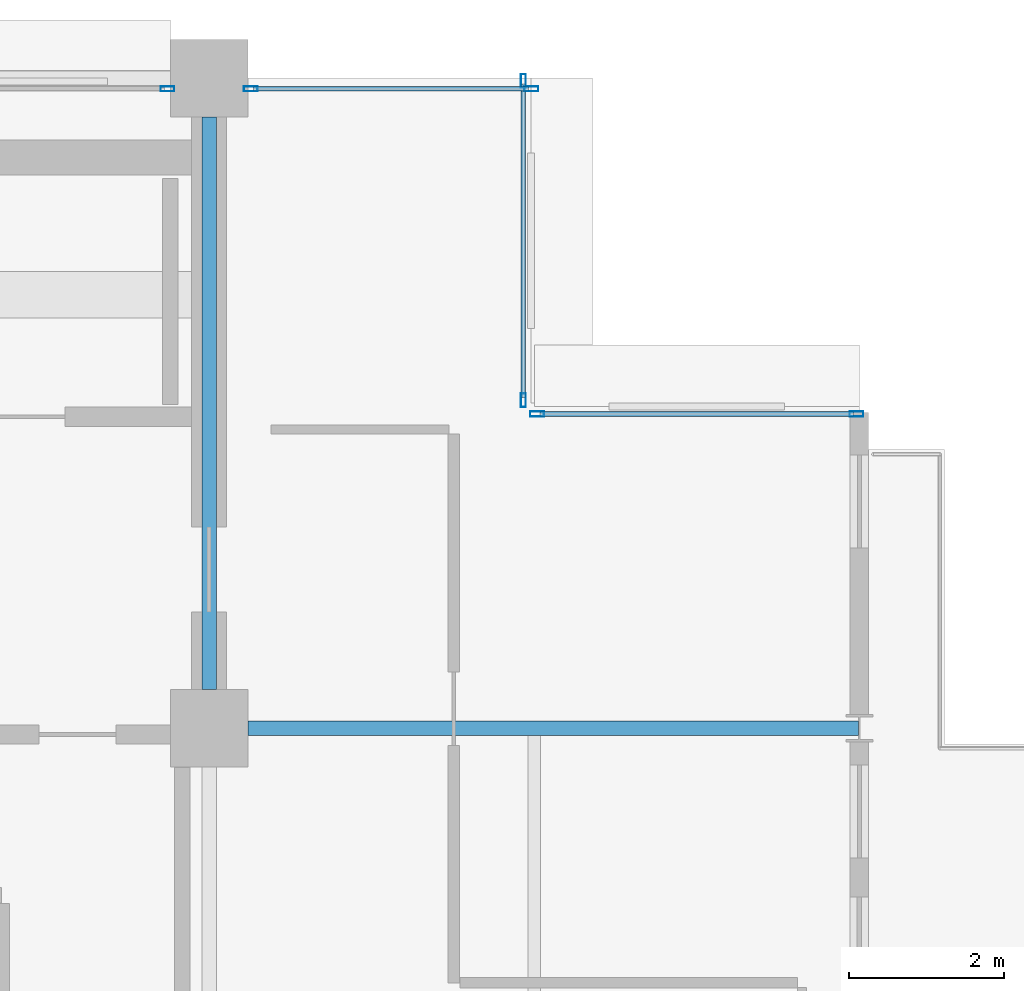
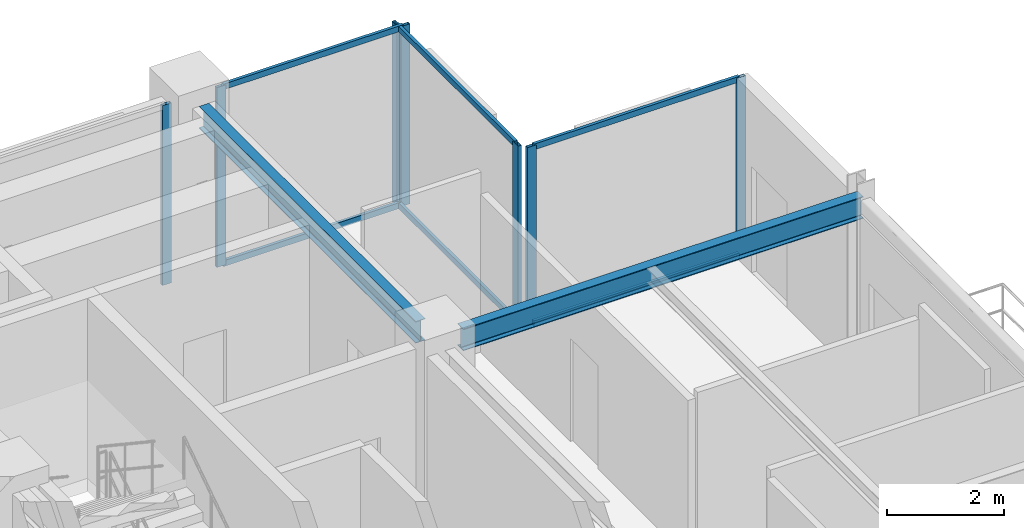
# One storey, part 18 of 26: 13 members, 2 beams, 4 elements without a shape of their own.
"""IFC4 building model written with IfcOpenShell, lengths in metres."""

from ifc_helpers import new_model, si_unit, direction, frame, origin, origin_2d, place, context, subcontext, project, spatial, hollow_rectangle, i_section, extrude, material, layer, layer_set, material_profile, profile_set, type_object, element, aggregate, save


model = new_model("IFC4")

# Units and contexts
model_context = context("Model", 3, precision=1e-05, world=origin(), true_north=direction((0.0, 1.0)))
body_context = subcontext(model_context, "Body", "Model", "MODEL_VIEW")
ifc_project = project(units=[si_unit("LENGTHUNIT", "METRE"), si_unit("AREAUNIT", "SQUARE_METRE"), si_unit("VOLUMEUNIT", "CUBIC_METRE"), si_unit("PLANEANGLEUNIT", "RADIAN"), si_unit("MASSUNIT", "GRAM", prefix="KILO")], contexts=[model_context])

# Site, building, storey
site_placement = place(None, origin())
site = spatial("IfcSite", under=ifc_project, at=site_placement, CompositionType="ELEMENT")
building_placement = place(site_placement, origin())
building = spatial("IfcBuilding", under=site, at=building_placement, Name="Nerrivon Quay Data Exchange", CompositionType="ELEMENT")
storey_placement = place(building_placement, frame((0.0, 0.0, 241.10009765625)))
storey = spatial("IfcBuildingStorey", under=building, at=storey_placement, Name="L57", CompositionType="ELEMENT", Elevation=241.10009765625)

# Beams
ifc_material_1 = material(Name="Steel Grade 350", Category="steel")
ifc_material_profile_1 = material_profile(ifc_material_1, i_section(OverallWidth=0.19091796875, OverallDepth=0.4599609375, WebThickness=0.010009765625, FlangeThickness=0.01611328125, FilletRadius=0.011474609375, at=origin_2d()), Name="460UB82.1")
ifc_profile_set_1 = profile_set([ifc_material_profile_1], Name="Steel Grade 350")
beam_type_1 = type_object("IfcBeamType", Name="BM-G5-460UB82", PredefinedType="BEAM", material=ifc_profile_set_1)
beam_1_placement = place(storey_placement, frame((17.300048828125, 33.60009765625, 3.52001953125), z_axis=(1.0, 0.0, 0.0), x_axis=(0.0, 1.0, 0.0)))
element("IfcBeam", 1, at=beam_1_placement, inside=storey, type_object=beam_type_1, Name="L57 EW Girder Y=33.6 (16.8..25.2)", PredefinedType="BEAM", context=body_context, shape_type="SweptSolid", body=[
    extrude(i_section(OverallWidth=0.19091796875, OverallDepth=0.4599609375, WebThickness=0.010009765625, FlangeThickness=0.01611328125, FilletRadius=0.011474609375, at=origin_2d()), origin(), (0.0, 0.0, 1.0), 7.889892578125),
])
ifc_material_profile_2 = material_profile(ifc_material_1, i_section(OverallWidth=0.18994140625, OverallDepth=0.4541015625, WebThickness=0.008544921875, FlangeThickness=0.0126953125, FilletRadius=0.011474609375, at=origin_2d()), Name="460UB67.1")
ifc_profile_set_2 = profile_set([ifc_material_profile_2], Name="Steel Grade 350")
beam_type_2 = type_object("IfcBeamType", Name="BM-G6-460UB67", PredefinedType="BEAM", material=ifc_profile_set_2)
beam_2_placement = place(storey_placement, frame((16.800048828125, 34.10009765625, 3.52294921875), z_axis=(0.0, 1.0, 0.0), x_axis=(-1.0, 0.0, 0.0)))
element("IfcBeam", 2, at=beam_2_placement, inside=storey, type_object=beam_type_2, Name="L57 NS Girder X=16.8 (33.6..42.0)", PredefinedType="BEAM", context=body_context, shape_type="SweptSolid", body=[
    extrude(i_section(OverallWidth=0.18994140625, OverallDepth=0.4541015625, WebThickness=0.008544921875, FlangeThickness=0.0126953125, FilletRadius=0.011474609375, at=origin_2d()), origin(), (0.0, 0.0, 1.0), 7.39990234375),
])

# Curtain wall, member
ifc_material_2 = material(Name="Anodised aluminium 6063-T6", Category="aluminium")
ifc_layer = layer(ifc_material_2, 0.195068359375)
ifc_layer_set = layer_set([ifc_layer], Name="Anodised aluminium 6063-T6")
curtain_wall_type = type_object("IfcCurtainWallType", Name="CW-SYS-06", PredefinedType="NOTDEFINED", material=ifc_layer_set)
curtain_wall_1_placement = place(storey_placement, origin())
curtain_wall_1 = element("IfcCurtainWall", 3, at=curtain_wall_1_placement, inside=storey, type_object=curtain_wall_type, Name="L57 Unitised Curtain Wall 18", PredefinedType="NOTDEFINED")
ifc_material_profile_3 = material_profile(ifc_material_2, hollow_rectangle(XDim=0.06494140625, YDim=0.179931640625, WallThickness=0.00341796875, at=origin_2d()), Name="ALU-MULL-180x65")
ifc_profile_set_3 = profile_set([ifc_material_profile_3], Name="Anodised aluminium 6063-T6")
member_type_1 = type_object("IfcMemberType", Name="CWM-180x65", PredefinedType="MULLION", material=ifc_profile_set_3)
member_1_placement = place(storey_placement, frame((16.262451171875, 41.860107421875, 0.0), z_axis=(0.0, 0.0, 1.0), x_axis=(0.0, 1.0, 0.0)))
member_1 = element("IfcMember", 4, at=member_1_placement, type_object=member_type_1, Name="CW06 mullion 2", PredefinedType="MULLION", context=body_context, shape_type="SweptSolid", body=[
    extrude(hollow_rectangle(XDim=0.06494140625, YDim=0.179931640625, WallThickness=0.00341796875, at=origin_2d()), origin(), (0.0, 0.0, 1.0), 3.75),
])
aggregate(curtain_wall_1, [member_1])

# Curtain wall, members
curtain_wall_2_placement = place(storey_placement, origin())
curtain_wall_2 = element("IfcCurtainWall", 5, at=curtain_wall_2_placement, inside=storey, type_object=curtain_wall_type, Name="L57 Unitised Curtain Wall 19", PredefinedType="NOTDEFINED")
member_2_placement = place(storey_placement, frame((17.33740234375, 41.860107421875, 0.0), z_axis=(0.0, 0.0, 1.0), x_axis=(0.0, 1.0, 0.0)))
member_2 = element("IfcMember", 6, at=member_2_placement, type_object=member_type_1, Name="CW06 mullion 1", PredefinedType="MULLION", context=body_context, shape_type="SweptSolid", body=[
    extrude(hollow_rectangle(XDim=0.06494140625, YDim=0.179931640625, WallThickness=0.00341796875, at=origin_2d()), origin(), (0.0, 0.0, 1.0), 3.75),
])
member_3_placement = place(storey_placement, frame((20.96240234375, 41.860107421875, 0.0), z_axis=(0.0, 0.0, 1.0), x_axis=(0.0, 1.0, 0.0)))
member_3 = element("IfcMember", 7, at=member_3_placement, type_object=member_type_1, Name="CW06 mullion 2", PredefinedType="MULLION", context=body_context, shape_type="SweptSolid", body=[
    extrude(hollow_rectangle(XDim=0.06494140625, YDim=0.179931640625, WallThickness=0.00341796875, at=origin_2d()), origin(), (0.0, 0.0, 1.0), 3.75),
])

curtain_wall_3_placement = place(storey_placement, origin())
curtain_wall_3 = element("IfcCurtainWall", 8, at=curtain_wall_3_placement, inside=storey, type_object=curtain_wall_type, Name="L57 Unitised Curtain Wall 20", PredefinedType="NOTDEFINED")
member_4_placement = place(storey_placement, frame((20.860107421875, 41.96240234375, 0.0), z_axis=(0.0, 0.0, 1.0), x_axis=(1.0, 0.0, 0.0)))
member_4 = element("IfcMember", 9, at=member_4_placement, type_object=member_type_1, Name="CW06 mullion 1", PredefinedType="MULLION", context=body_context, shape_type="SweptSolid", body=[
    extrude(hollow_rectangle(XDim=0.06494140625, YDim=0.179931640625, WallThickness=0.00341796875, at=origin_2d()), origin(), (0.0, 0.0, 1.0), 3.75),
])
member_5_placement = place(storey_placement, frame((20.860107421875, 37.83740234375, 0.0), z_axis=(0.0, 0.0, 1.0), x_axis=(1.0, 0.0, 0.0)))
member_5 = element("IfcMember", 10, at=member_5_placement, type_object=member_type_1, Name="CW06 mullion 2", PredefinedType="MULLION", context=body_context, shape_type="SweptSolid", body=[
    extrude(hollow_rectangle(XDim=0.06494140625, YDim=0.179931640625, WallThickness=0.00341796875, at=origin_2d()), origin(), (0.0, 0.0, 1.0), 3.75),
])

curtain_wall_4_placement = place(storey_placement, origin())
curtain_wall_4 = element("IfcCurtainWall", 11, at=curtain_wall_4_placement, inside=storey, type_object=curtain_wall_type, Name="L57 Unitised Curtain Wall 21", PredefinedType="NOTDEFINED")
member_6_placement = place(storey_placement, frame((21.03759765625, 37.659912109375, 0.0), z_axis=(0.0, 0.0, 1.0), x_axis=(0.0, 1.0, 0.0)))
member_6 = element("IfcMember", 12, at=member_6_placement, type_object=member_type_1, Name="CW06 mullion 1", PredefinedType="MULLION", context=body_context, shape_type="SweptSolid", body=[
    extrude(hollow_rectangle(XDim=0.06494140625, YDim=0.179931640625, WallThickness=0.00341796875, at=origin_2d()), origin(), (0.0, 0.0, 1.0), 3.75),
])
member_7_placement = place(storey_placement, frame((25.16259765625, 37.659912109375, 0.0), z_axis=(0.0, 0.0, 1.0), x_axis=(0.0, 1.0, 0.0)))
member_7 = element("IfcMember", 13, at=member_7_placement, type_object=member_type_1, Name="CW06 mullion 2", PredefinedType="MULLION", context=body_context, shape_type="SweptSolid", body=[
    extrude(hollow_rectangle(XDim=0.06494140625, YDim=0.179931640625, WallThickness=0.00341796875, at=origin_2d()), origin(), (0.0, 0.0, 1.0), 3.75),
])

# Member
ifc_material_profile_4 = material_profile(ifc_material_2, hollow_rectangle(XDim=0.06005859375, YDim=0.1201171875, WallThickness=0.003173828125, at=origin_2d()), Name="ALU-TRAN-120x60")
ifc_profile_set_4 = profile_set([ifc_material_profile_4], Name="Anodised aluminium 6063-T6")
member_type_2 = type_object("IfcMemberType", Name="CWT-120x60", PredefinedType="USERDEFINED", material=ifc_profile_set_4)
member_8_placement = place(storey_placement, frame((17.375, 41.860107421875, 0.032470703125), z_axis=(1.0, 0.0, 0.0), x_axis=(0.0, 1.0, 0.0)))
member_8 = element("IfcMember", 14, at=member_8_placement, type_object=member_type_2, Name="CW06 transom 1.1", ObjectType="TRANSOM", PredefinedType="USERDEFINED", context=body_context, shape_type="SweptSolid", body=[
    extrude(hollow_rectangle(XDim=0.06005859375, YDim=0.1201171875, WallThickness=0.003173828125, at=origin_2d()), origin(), (0.0, 0.0, 1.0), 3.550048828125),
])

member_9_placement = place(storey_placement, frame((17.375, 41.860107421875, 3.71728515625), z_axis=(1.0, 0.0, 0.0), x_axis=(0.0, 1.0, 0.0)))
member_9 = element("IfcMember", 15, at=member_9_placement, type_object=member_type_2, Name="CW06 transom 1.2", ObjectType="TRANSOM", PredefinedType="USERDEFINED", context=body_context, shape_type="SweptSolid", body=[
    extrude(hollow_rectangle(XDim=0.06005859375, YDim=0.1201171875, WallThickness=0.003173828125, at=origin_2d()), origin(), (0.0, 0.0, 1.0), 3.550048828125),
])

aggregate(curtain_wall_2, [member_2, member_3, member_8, member_9])

member_10_placement = place(storey_placement, frame((20.860107421875, 41.925048828125, 0.032470703125), z_axis=(0.0, -1.0, 0.0), x_axis=(1.0, 0.0, 0.0)))
member_10 = element("IfcMember", 16, at=member_10_placement, type_object=member_type_2, Name="CW06 transom 1.1", ObjectType="TRANSOM", PredefinedType="USERDEFINED", context=body_context, shape_type="SweptSolid", body=[
    extrude(hollow_rectangle(XDim=0.06005859375, YDim=0.1201171875, WallThickness=0.003173828125, at=origin_2d()), origin(), (0.0, 0.0, 1.0), 4.050048828125),
])

member_11_placement = place(storey_placement, frame((20.860107421875, 41.925048828125, 3.71728515625), z_axis=(0.0, -1.0, 0.0), x_axis=(1.0, 0.0, 0.0)))
member_11 = element("IfcMember", 17, at=member_11_placement, type_object=member_type_2, Name="CW06 transom 1.2", ObjectType="TRANSOM", PredefinedType="USERDEFINED", context=body_context, shape_type="SweptSolid", body=[
    extrude(hollow_rectangle(XDim=0.06005859375, YDim=0.1201171875, WallThickness=0.003173828125, at=origin_2d()), origin(), (0.0, 0.0, 1.0), 4.050048828125),
])

aggregate(curtain_wall_3, [member_4, member_5, member_10, member_11])

member_12_placement = place(storey_placement, frame((21.074951171875, 37.659912109375, 0.032470703125), z_axis=(1.0, 0.0, 0.0), x_axis=(0.0, 1.0, 0.0)))
member_12 = element("IfcMember", 18, at=member_12_placement, type_object=member_type_2, Name="CW06 transom 1.1", ObjectType="TRANSOM", PredefinedType="USERDEFINED", context=body_context, shape_type="SweptSolid", body=[
    extrude(hollow_rectangle(XDim=0.06005859375, YDim=0.1201171875, WallThickness=0.003173828125, at=origin_2d()), origin(), (0.0, 0.0, 1.0), 4.050048828125),
])

member_13_placement = place(storey_placement, frame((21.074951171875, 37.659912109375, 3.71728515625), z_axis=(1.0, 0.0, 0.0), x_axis=(0.0, 1.0, 0.0)))
member_13 = element("IfcMember", 19, at=member_13_placement, type_object=member_type_2, Name="CW06 transom 1.2", ObjectType="TRANSOM", PredefinedType="USERDEFINED", context=body_context, shape_type="SweptSolid", body=[
    extrude(hollow_rectangle(XDim=0.06005859375, YDim=0.1201171875, WallThickness=0.003173828125, at=origin_2d()), origin(), (0.0, 0.0, 1.0), 4.050048828125),
])

aggregate(curtain_wall_4, [member_6, member_7, member_12, member_13])

save(model, "model.ifc")
